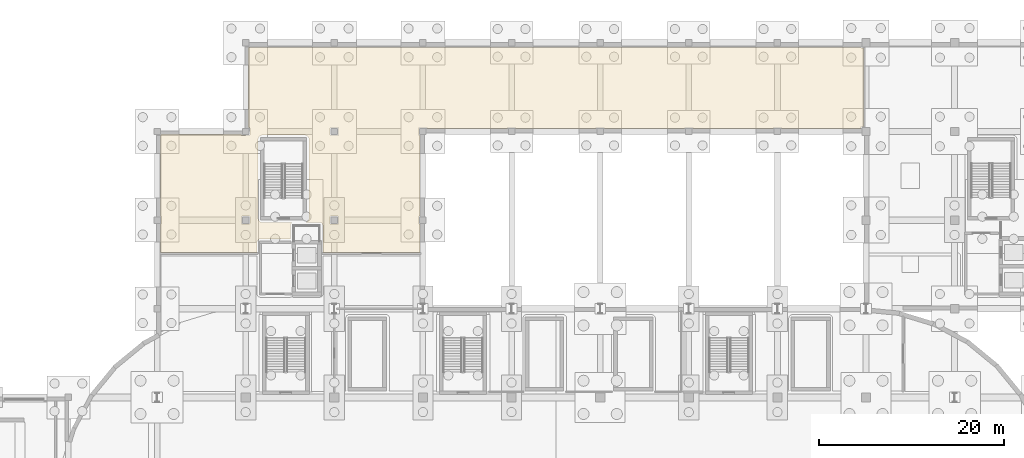
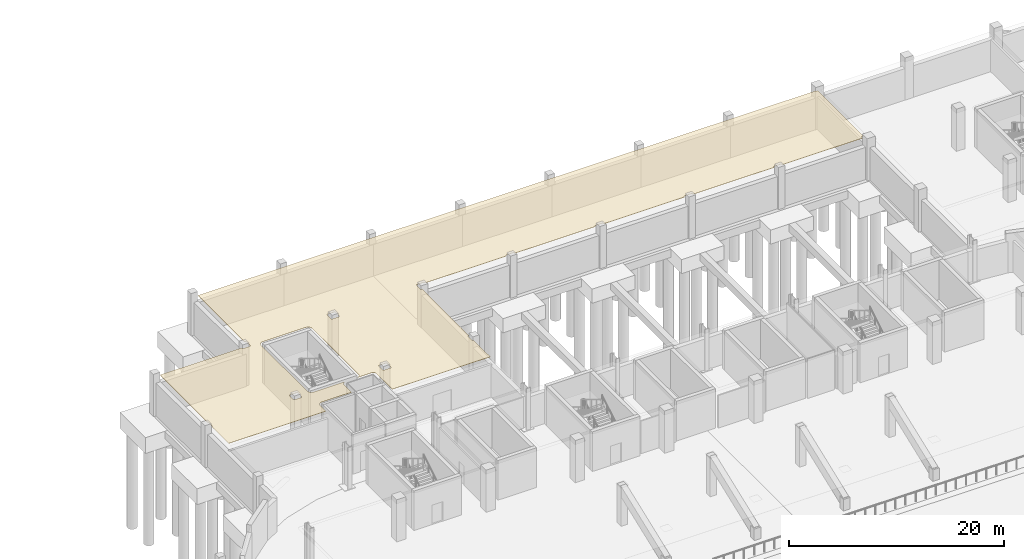
# One storey, part 64 of 67: 1 covering.
"""IFC4 building model written with IfcOpenShell, lengths in metres."""

from ifc_helpers import new_model, si_unit, direction, frame, origin, place, context, subcontext, project, spatial, polyline, outline, extrude, material, layer, layer_set, type_object, element, save


model = new_model("IFC4")

# Units and contexts
model_context = context("Model", 3, precision=1e-05, world=origin(), true_north=direction((0.0, 1.0)))
body_context = subcontext(model_context, "Body", "Model", "MODEL_VIEW")
ifc_project = project(units=[si_unit("LENGTHUNIT", "METRE"), si_unit("AREAUNIT", "SQUARE_METRE"), si_unit("VOLUMEUNIT", "CUBIC_METRE"), si_unit("PLANEANGLEUNIT", "RADIAN"), si_unit("MASSUNIT", "GRAM", prefix="KILO")], contexts=[model_context])

# Site, building, storey
site_placement = place(None, origin())
site = spatial("IfcSite", under=ifc_project, at=site_placement, CompositionType="ELEMENT")
building_placement = place(site_placement, origin())
building = spatial("IfcBuilding", under=site, at=building_placement, Name="Caelomonte Colonnade Arena", CompositionType="ELEMENT")
storey_placement = place(building_placement, frame((0.0, 0.0, -4.800048828125)))
storey = spatial("IfcBuildingStorey", under=building, at=storey_placement, Name="B1", CompositionType="ELEMENT", Elevation=-4.800048828125)

# Covering
ifc_material = material(Name="Perforated acoustic mineral-fibre ceiling")
ifc_layer = layer(ifc_material, 0.0400390625)
ifc_layer_set = layer_set([ifc_layer], Name="Perforated acoustic mineral-fibre ceiling")
covering_type = type_object("IfcCoveringType", Name="INT-CV-CEIL1", PredefinedType="CEILING", material=ifc_layer_set)
covering_placement = place(storey_placement, frame((0.0, 0.0, 4.420166015625)))
element("IfcCovering", 1, at=covering_placement, inside=storey, type_object=covering_type, Name="B1 Central Commissary Kitchen acoustic ceiling", PredefinedType="CEILING", context=body_context, shape_type="SweptSolid", body=[
    extrude(outline(polyline([(67.58056640625, 124.3564453125), (67.580078125, 124.3564453125), (67.580078125, 121.280029296875), (78.0400390625, 121.280029296875), (78.0400390625, 122.39990234375), (78.0400390625, 122.40380859375), (78.04150390625, 122.431396484375), (78.042236328125, 122.439208984375), (78.046142578125, 122.46630859375), (78.0478515625, 122.47412109375), (78.054443359375, 122.500732421875), (78.056640625, 122.50830078125), (78.06591796875, 122.5341796875), (78.069091796875, 122.54150390625), (78.080810546875, 122.566162109375), (78.08447265625, 122.572998046875), (78.0986328125, 122.5966796875), (78.102783203125, 122.603271484375), (78.119384765625, 122.625244140625), (78.124267578125, 122.63134765625), (78.142578125, 122.651611328125), (78.148193359375, 122.6572265625), (78.168701171875, 122.67578125), (78.1748046875, 122.6806640625), (78.19677734375, 122.697021484375), (78.203369140625, 122.701416015625), (78.226806640625, 122.715576171875), (78.23388671875, 122.71923828125), (78.258544921875, 122.73095703125), (78.265869140625, 122.73388671875), (78.291748046875, 122.743408203125), (78.29931640625, 122.74560546875), (78.325927734375, 122.752197265625), (78.33349609375, 122.75390625), (78.36083984375, 122.7578125), (78.36865234375, 122.758544921875), (78.39599609375, 122.760009765625), (78.39990234375, 122.760009765625), (81.60009765625, 122.760009765625), (81.60400390625, 122.760009765625), (81.63134765625, 122.758544921875), (81.63916015625, 122.7578125), (81.639892578125, 122.7578125), (81.639892578125, 124.199951171875), (81.64013671875, 124.203857421875), (81.641357421875, 124.2314453125), (81.64208984375, 124.2392578125), (81.646240234375, 124.266357421875), (81.647705078125, 124.274169921875), (81.654541015625, 124.30078125), (81.65673828125, 124.30810546875), (81.666015625, 124.333984375), (81.6689453125, 124.34130859375), (81.6806640625, 124.3662109375), (81.684326171875, 124.373046875), (81.698486328125, 124.396728515625), (81.702880859375, 124.4033203125), (81.71923828125, 124.42529296875), (81.724365234375, 124.431396484375), (81.74267578125, 124.45166015625), (81.748291015625, 124.457275390625), (81.7685546875, 124.4755859375), (81.774658203125, 124.480712890625), (81.796875, 124.4970703125), (81.80322265625, 124.50146484375), (81.826904296875, 124.515625), (81.833740234375, 124.519287109375), (81.858642578125, 124.531005859375), (81.865966796875, 124.533935546875), (81.891845703125, 124.543212890625), (81.8994140625, 124.54541015625), (81.9169921875, 124.550048828125), (78.60009765625, 124.550048828125), (78.555908203125, 124.55224609375), (78.51220703125, 124.55859375), (78.469482421875, 124.5693359375), (78.427734375, 124.584228515625), (78.387939453125, 124.60302734375), (78.35009765625, 124.625732421875), (78.314453125, 124.652099609375), (78.28173828125, 124.681884765625), (78.252197265625, 124.714599609375), (78.225830078125, 124.75), (78.203125, 124.787841796875), (78.184326171875, 124.827880859375), (78.16943359375, 124.869384765625), (78.15869140625, 124.912109375), (78.152099609375, 124.955810546875), (78.14990234375, 125.0), (78.14990234375, 133.550048828125), (78.152099609375, 133.593994140625), (78.15869140625, 133.6376953125), (78.16943359375, 133.6806640625), (78.184326171875, 133.72216796875), (78.203125, 133.76220703125), (78.225830078125, 133.800048828125), (78.252197265625, 133.83544921875), (78.28173828125, 133.8681640625), (78.314453125, 133.89794921875), (78.35009765625, 133.92431640625), (78.387939453125, 133.947021484375), (78.427734375, 133.9658203125), (78.469482421875, 133.980712890625), (78.51220703125, 133.991455078125), (78.555908203125, 133.997802734375), (78.60009765625, 134.0), (83.199951171875, 134.0), (83.244140625, 133.997802734375), (83.287841796875, 133.991455078125), (83.33056640625, 133.980712890625), (83.372314453125, 133.9658203125), (83.412109375, 133.947021484375), (83.449951171875, 133.92431640625), (83.485595703125, 133.89794921875), (83.518310546875, 133.8681640625), (83.5478515625, 133.83544921875), (83.57421875, 133.800048828125), (83.596923828125, 133.76220703125), (83.61572265625, 133.72216796875), (83.630615234375, 133.6806640625), (83.641357421875, 133.6376953125), (83.647705078125, 133.593994140625), (83.64990234375, 133.550048828125), (83.64990234375, 125.0), (83.647705078125, 124.955810546875), (83.641357421875, 124.912109375), (83.630615234375, 124.869384765625), (83.61572265625, 124.827880859375), (83.596923828125, 124.787841796875), (83.57421875, 124.75), (83.5478515625, 124.714599609375), (83.518310546875, 124.681884765625), (83.485595703125, 124.652099609375), (83.449951171875, 124.625732421875), (83.412109375, 124.60302734375), (83.372314453125, 124.584228515625), (83.33056640625, 124.5693359375), (83.293212890625, 124.56005859375), (84.800048828125, 124.56005859375), (84.803955078125, 124.559814453125), (84.831298828125, 124.55859375), (84.839111328125, 124.557861328125), (84.866455078125, 124.5537109375), (84.8740234375, 124.55224609375), (84.900634765625, 124.54541015625), (84.908203125, 124.543212890625), (84.93408203125, 124.533935546875), (84.94140625, 124.531005859375), (84.96630859375, 124.519287109375), (84.97314453125, 124.515625), (84.99658203125, 124.50146484375), (85.003173828125, 124.4970703125), (85.025390625, 124.480712890625), (85.031494140625, 124.4755859375), (85.0517578125, 124.457275390625), (85.057373046875, 124.45166015625), (85.07568359375, 124.431396484375), (85.080810546875, 124.42529296875), (85.09716796875, 124.4033203125), (85.101318359375, 124.396728515625), (85.115478515625, 124.373046875), (85.119384765625, 124.3662109375), (85.131103515625, 124.34130859375), (85.134033203125, 124.333984375), (85.143310546875, 124.30810546875), (85.1455078125, 124.30078125), (85.152099609375, 124.274169921875), (85.15380859375, 124.266357421875), (85.15771484375, 124.2392578125), (85.15869140625, 124.2314453125), (85.159912109375, 124.203857421875), (85.159912109375, 124.199951171875), (85.159912109375, 121.280029296875), (95.699951171875, 121.280029296875), (95.699951171875, 124.35498046875), (95.635009765625, 124.35498046875), (95.627197265625, 124.35546875), (95.619384765625, 124.3564453125), (95.61181640625, 124.3583984375), (95.6044921875, 124.361083984375), (95.597412109375, 124.364501953125), (95.590576171875, 124.368408203125), (95.584228515625, 124.373291015625), (95.578369140625, 124.37841796875), (95.5732421875, 124.38427734375), (95.568603515625, 124.390625), (95.564453125, 124.397216796875), (95.56103515625, 124.404296875), (95.558349609375, 124.411865234375), (95.556396484375, 124.41943359375), (95.555419921875, 124.42724609375), (95.554931640625, 124.43505859375), (95.554931640625, 125.1650390625), (95.555419921875, 125.1728515625), (95.556396484375, 125.1806640625), (95.558349609375, 125.188232421875), (95.56103515625, 125.195556640625), (95.564453125, 125.20263671875), (95.568603515625, 125.20947265625), (95.5732421875, 125.2158203125), (95.578369140625, 125.2216796875), (95.584228515625, 125.226806640625), (95.590576171875, 125.2314453125), (95.597412109375, 125.235595703125), (95.6044921875, 125.239013671875), (95.61181640625, 125.24169921875), (95.619384765625, 125.243408203125), (95.627197265625, 125.24462890625), (95.635009765625, 125.2451171875), (95.699951171875, 125.2451171875), (95.699951171875, 133.955078125), (95.635009765625, 133.955078125), (95.627197265625, 133.955322265625), (95.619384765625, 133.95654296875), (95.61181640625, 133.95849609375), (95.6044921875, 133.961181640625), (95.597412109375, 133.96435546875), (95.590576171875, 133.968505859375), (95.584228515625, 133.97314453125), (95.578369140625, 133.978515625), (95.5732421875, 133.984130859375), (95.568603515625, 133.990478515625), (95.564453125, 133.997314453125), (95.56103515625, 134.00439453125), (95.558349609375, 134.01171875), (95.556396484375, 134.019287109375), (95.555419921875, 134.027099609375), (95.554931640625, 134.034912109375), (95.554931640625, 134.764892578125), (95.555419921875, 134.772705078125), (95.556396484375, 134.780517578125), (95.558349609375, 134.7880859375), (95.56103515625, 134.795654296875), (95.564453125, 134.802734375), (95.568603515625, 134.809326171875), (95.5732421875, 134.81591796875), (95.578369140625, 134.821533203125), (95.584228515625, 134.826904296875), (95.590576171875, 134.83154296875), (95.597412109375, 134.835693359375), (95.6044921875, 134.8388671875), (95.61181640625, 134.841552734375), (95.619384765625, 134.843505859375), (95.627197265625, 134.844482421875), (95.635009765625, 134.844970703125), (96.364990234375, 134.844970703125), (96.372802734375, 134.844482421875), (96.380615234375, 134.843505859375), (96.38818359375, 134.841552734375), (96.3955078125, 134.8388671875), (96.402587890625, 134.835693359375), (96.409423828125, 134.83154296875), (96.415771484375, 134.826904296875), (96.421630859375, 134.821533203125), (96.4267578125, 134.81591796875), (96.431396484375, 134.809326171875), (96.435546875, 134.802734375), (96.43896484375, 134.795654296875), (96.441650390625, 134.7880859375), (96.443603515625, 134.780517578125), (96.444580078125, 134.772705078125), (96.445068359375, 134.764892578125), (96.445068359375, 134.699951171875), (105.155029296875, 134.699951171875), (105.155029296875, 134.764892578125), (105.155517578125, 134.772705078125), (105.156494140625, 134.780517578125), (105.158447265625, 134.7880859375), (105.1611328125, 134.795654296875), (105.164306640625, 134.802734375), (105.16845703125, 134.809326171875), (105.173095703125, 134.81591796875), (105.178466796875, 134.821533203125), (105.18408203125, 134.826904296875), (105.190673828125, 134.83154296875), (105.197265625, 134.835693359375), (105.204345703125, 134.8388671875), (105.2119140625, 134.841552734375), (105.219482421875, 134.843505859375), (105.227294921875, 134.844482421875), (105.235107421875, 134.844970703125), (105.965087890625, 134.844970703125), (105.972900390625, 134.844482421875), (105.980712890625, 134.843505859375), (105.98828125, 134.841552734375), (105.99560546875, 134.8388671875), (106.002685546875, 134.835693359375), (106.009521484375, 134.83154296875), (106.015869140625, 134.826904296875), (106.021484375, 134.821533203125), (106.02685546875, 134.81591796875), (106.031494140625, 134.809326171875), (106.03564453125, 134.802734375), (106.038818359375, 134.795654296875), (106.04150390625, 134.7880859375), (106.04345703125, 134.780517578125), (106.044677734375, 134.772705078125), (106.044921875, 134.764892578125), (106.044921875, 134.699951171875), (114.7548828125, 134.699951171875), (114.7548828125, 134.764892578125), (114.75537109375, 134.772705078125), (114.756591796875, 134.780517578125), (114.75830078125, 134.7880859375), (114.760986328125, 134.795654296875), (114.764404296875, 134.802734375), (114.7685546875, 134.809326171875), (114.773193359375, 134.81591796875), (114.7783203125, 134.821533203125), (114.7841796875, 134.826904296875), (114.79052734375, 134.83154296875), (114.79736328125, 134.835693359375), (114.804443359375, 134.8388671875), (114.811767578125, 134.841552734375), (114.8193359375, 134.843505859375), (114.8271484375, 134.844482421875), (114.8349609375, 134.844970703125), (115.56494140625, 134.844970703125), (115.57275390625, 134.844482421875), (115.58056640625, 134.843505859375), (115.588134765625, 134.841552734375), (115.595703125, 134.8388671875), (115.602783203125, 134.835693359375), (115.609375, 134.83154296875), (115.61572265625, 134.826904296875), (115.62158203125, 134.821533203125), (115.626708984375, 134.81591796875), (115.631591796875, 134.809326171875), (115.635498046875, 134.802734375), (115.638916015625, 134.795654296875), (115.6416015625, 134.7880859375), (115.6435546875, 134.780517578125), (115.64453125, 134.772705078125), (115.64501953125, 134.764892578125), (115.64501953125, 134.699951171875), (124.35498046875, 134.699951171875), (124.35498046875, 134.764892578125), (124.35546875, 134.772705078125), (124.3564453125, 134.780517578125), (124.3583984375, 134.7880859375), (124.361083984375, 134.795654296875), (124.364501953125, 134.802734375), (124.368408203125, 134.809326171875), (124.373291015625, 134.81591796875), (124.37841796875, 134.821533203125), (124.38427734375, 134.826904296875), (124.390625, 134.83154296875), (124.397216796875, 134.835693359375), (124.404296875, 134.8388671875), (124.411865234375, 134.841552734375), (124.41943359375, 134.843505859375), (124.42724609375, 134.844482421875), (124.43505859375, 134.844970703125), (125.1650390625, 134.844970703125), (125.1728515625, 134.844482421875), (125.1806640625, 134.843505859375), (125.188232421875, 134.841552734375), (125.195556640625, 134.8388671875), (125.20263671875, 134.835693359375), (125.20947265625, 134.83154296875), (125.2158203125, 134.826904296875), (125.2216796875, 134.821533203125), (125.226806640625, 134.81591796875), (125.2314453125, 134.809326171875), (125.235595703125, 134.802734375), (125.239013671875, 134.795654296875), (125.24169921875, 134.7880859375), (125.243408203125, 134.780517578125), (125.24462890625, 134.772705078125), (125.2451171875, 134.764892578125), (125.2451171875, 134.699951171875), (133.955078125, 134.699951171875), (133.955078125, 134.764892578125), (133.955322265625, 134.772705078125), (133.95654296875, 134.780517578125), (133.95849609375, 134.7880859375), (133.961181640625, 134.795654296875), (133.96435546875, 134.802734375), (133.968505859375, 134.809326171875), (133.97314453125, 134.81591796875), (133.978515625, 134.821533203125), (133.984130859375, 134.826904296875), (133.990478515625, 134.83154296875), (133.997314453125, 134.835693359375), (134.00439453125, 134.8388671875), (134.01171875, 134.841552734375), (134.019287109375, 134.843505859375), (134.027099609375, 134.844482421875), (134.034912109375, 134.844970703125), (134.764892578125, 134.844970703125), (134.772705078125, 134.844482421875), (134.780517578125, 134.843505859375), (134.7880859375, 134.841552734375), (134.795654296875, 134.8388671875), (134.802734375, 134.835693359375), (134.809326171875, 134.83154296875), (134.81591796875, 134.826904296875), (134.821533203125, 134.821533203125), (134.826904296875, 134.81591796875), (134.83154296875, 134.809326171875), (134.835693359375, 134.802734375), (134.8388671875, 134.795654296875), (134.841552734375, 134.7880859375), (134.843505859375, 134.780517578125), (134.844482421875, 134.772705078125), (134.844970703125, 134.764892578125), (134.844970703125, 134.699951171875), (143.455078125, 134.699951171875), (143.455078125, 134.864990234375), (143.455322265625, 134.872802734375), (143.45654296875, 134.880615234375), (143.45849609375, 134.88818359375), (143.461181640625, 134.8955078125), (143.46435546875, 134.902587890625), (143.468505859375, 134.909423828125), (143.47314453125, 134.915771484375), (143.478515625, 134.921630859375), (143.484130859375, 134.9267578125), (143.490478515625, 134.931396484375), (143.497314453125, 134.935546875), (143.50439453125, 134.93896484375), (143.51171875, 134.941650390625), (143.519287109375, 134.943603515625), (143.527099609375, 134.944580078125), (143.534912109375, 134.945068359375), (143.719970703125, 134.945068359375), (143.719970703125, 143.455078125), (143.534912109375, 143.455078125), (143.527099609375, 143.455322265625), (143.519287109375, 143.45654296875), (143.51171875, 143.45849609375), (143.50439453125, 143.461181640625), (143.497314453125, 143.46435546875), (143.490478515625, 143.468505859375), (143.484130859375, 143.47314453125), (143.478515625, 143.478515625), (143.47314453125, 143.484130859375), (143.468505859375, 143.490478515625), (143.46435546875, 143.497314453125), (143.461181640625, 143.50439453125), (143.45849609375, 143.51171875), (143.45654296875, 143.519287109375), (143.456298828125, 143.52001953125), (77.10009765625, 143.52001953125), (77.10009765625, 134.844970703125), (77.1650390625, 134.844970703125), (77.1728515625, 134.844482421875), (77.1806640625, 134.843505859375), (77.188232421875, 134.841552734375), (77.195556640625, 134.8388671875), (77.20263671875, 134.835693359375), (77.20947265625, 134.83154296875), (77.2158203125, 134.826904296875), (77.2216796875, 134.821533203125), (77.226806640625, 134.81591796875), (77.2314453125, 134.809326171875), (77.235595703125, 134.802734375), (77.239013671875, 134.795654296875), (77.24169921875, 134.7880859375), (77.243408203125, 134.780517578125), (77.24462890625, 134.772705078125), (77.2451171875, 134.764892578125), (77.2451171875, 134.034912109375), (77.24462890625, 134.027099609375), (77.243408203125, 134.019287109375), (77.24169921875, 134.01171875), (77.239013671875, 134.00439453125), (77.235595703125, 133.997314453125), (77.2314453125, 133.990478515625), (77.226806640625, 133.984130859375), (77.2216796875, 133.978515625), (77.2158203125, 133.97314453125), (77.20947265625, 133.968505859375), (77.20263671875, 133.96435546875), (77.195556640625, 133.961181640625), (77.188232421875, 133.95849609375), (77.1806640625, 133.95654296875), (77.1728515625, 133.955322265625), (77.1650390625, 133.955078125), (76.43505859375, 133.955078125), (76.42724609375, 133.955322265625), (76.41943359375, 133.95654296875), (76.411865234375, 133.95849609375), (76.404296875, 133.961181640625), (76.397216796875, 133.96435546875), (76.390625, 133.968505859375), (76.38427734375, 133.97314453125), (76.37841796875, 133.978515625), (76.373291015625, 133.984130859375), (76.368408203125, 133.990478515625), (76.364501953125, 133.997314453125), (76.361083984375, 134.00439453125), (76.3583984375, 134.01171875), (76.3564453125, 134.019287109375), (76.35546875, 134.027099609375), (76.35498046875, 134.034912109375), (76.35498046875, 134.10009765625), (67.64501953125, 134.10009765625), (67.64501953125, 134.034912109375), (67.64453125, 134.027099609375), (67.6435546875, 134.019287109375), (67.6416015625, 134.01171875), (67.638916015625, 134.00439453125), (67.635498046875, 133.997314453125), (67.631591796875, 133.990478515625), (67.626708984375, 133.984130859375), (67.62158203125, 133.978515625), (67.61572265625, 133.97314453125), (67.609375, 133.968505859375), (67.602783203125, 133.96435546875), (67.595703125, 133.961181640625), (67.588134765625, 133.95849609375), (67.58056640625, 133.95654296875), (67.580078125, 133.956298828125), (67.580078125, 125.24365234375), (67.58056640625, 125.243408203125), (67.588134765625, 125.24169921875), (67.595703125, 125.239013671875), (67.602783203125, 125.235595703125), (67.609375, 125.2314453125), (67.61572265625, 125.226806640625), (67.62158203125, 125.2216796875), (67.626708984375, 125.2158203125), (67.631591796875, 125.20947265625), (67.635498046875, 125.20263671875), (67.638916015625, 125.195556640625), (67.6416015625, 125.188232421875), (67.6435546875, 125.1806640625), (67.64453125, 125.1728515625), (67.64501953125, 125.1650390625), (67.64501953125, 124.43505859375), (67.64453125, 124.42724609375), (67.6435546875, 124.41943359375), (67.6416015625, 124.411865234375), (67.638916015625, 124.404296875), (67.635498046875, 124.397216796875), (67.631591796875, 124.390625), (67.626708984375, 124.38427734375), (67.62158203125, 124.37841796875), (67.61572265625, 124.373291015625), (67.609375, 124.368408203125), (67.602783203125, 124.364501953125), (67.595703125, 124.361083984375), (67.588134765625, 124.3583984375), (67.58056640625, 124.3564453125)]), holes=[polyline([(85.955322265625, 124.42724609375), (85.955078125, 124.43505859375), (85.955078125, 125.1650390625), (85.955322265625, 125.1728515625), (85.95654296875, 125.1806640625), (85.95849609375, 125.188232421875), (85.961181640625, 125.195556640625), (85.96435546875, 125.20263671875), (85.968505859375, 125.20947265625), (85.97314453125, 125.2158203125), (85.978515625, 125.2216796875), (85.984130859375, 125.226806640625), (85.990478515625, 125.2314453125), (85.997314453125, 125.235595703125), (86.00439453125, 125.239013671875), (86.01171875, 125.24169921875), (86.019287109375, 125.243408203125), (86.027099609375, 125.24462890625), (86.034912109375, 125.2451171875), (86.764892578125, 125.2451171875), (86.772705078125, 125.24462890625), (86.780517578125, 125.243408203125), (86.7880859375, 125.24169921875), (86.795654296875, 125.239013671875), (86.802734375, 125.235595703125), (86.809326171875, 125.2314453125), (86.81591796875, 125.226806640625), (86.821533203125, 125.2216796875), (86.826904296875, 125.2158203125), (86.83154296875, 125.20947265625), (86.835693359375, 125.20263671875), (86.8388671875, 125.195556640625), (86.841552734375, 125.188232421875), (86.843505859375, 125.1806640625), (86.844482421875, 125.1728515625), (86.844970703125, 125.1650390625), (86.844970703125, 124.43505859375), (86.844482421875, 124.42724609375), (86.843505859375, 124.41943359375), (86.841552734375, 124.411865234375), (86.8388671875, 124.404296875), (86.835693359375, 124.397216796875), (86.83154296875, 124.390625), (86.826904296875, 124.38427734375), (86.821533203125, 124.37841796875), (86.81591796875, 124.373291015625), (86.809326171875, 124.368408203125), (86.802734375, 124.364501953125), (86.795654296875, 124.361083984375), (86.7880859375, 124.3583984375), (86.780517578125, 124.3564453125), (86.772705078125, 124.35546875), (86.764892578125, 124.35498046875), (86.034912109375, 124.35498046875), (86.027099609375, 124.35546875), (86.019287109375, 124.3564453125), (86.01171875, 124.3583984375), (86.00439453125, 124.361083984375), (85.997314453125, 124.364501953125), (85.990478515625, 124.368408203125), (85.984130859375, 124.373291015625), (85.978515625, 124.37841796875), (85.97314453125, 124.38427734375), (85.968505859375, 124.390625), (85.96435546875, 124.397216796875), (85.961181640625, 124.404296875), (85.95849609375, 124.411865234375), (85.95654296875, 124.41943359375), (85.955322265625, 124.42724609375)]), polyline([(86.027099609375, 134.844482421875), (86.034912109375, 134.844970703125), (86.764892578125, 134.844970703125), (86.772705078125, 134.844482421875), (86.780517578125, 134.843505859375), (86.7880859375, 134.841552734375), (86.795654296875, 134.8388671875), (86.802734375, 134.835693359375), (86.809326171875, 134.83154296875), (86.81591796875, 134.826904296875), (86.821533203125, 134.821533203125), (86.826904296875, 134.81591796875), (86.83154296875, 134.809326171875), (86.835693359375, 134.802734375), (86.8388671875, 134.795654296875), (86.841552734375, 134.7880859375), (86.843505859375, 134.780517578125), (86.844482421875, 134.772705078125), (86.844970703125, 134.764892578125), (86.844970703125, 134.034912109375), (86.844482421875, 134.027099609375), (86.843505859375, 134.019287109375), (86.841552734375, 134.01171875), (86.8388671875, 134.00439453125), (86.835693359375, 133.997314453125), (86.83154296875, 133.990478515625), (86.826904296875, 133.984130859375), (86.821533203125, 133.978515625), (86.81591796875, 133.97314453125), (86.809326171875, 133.968505859375), (86.802734375, 133.96435546875), (86.795654296875, 133.961181640625), (86.7880859375, 133.95849609375), (86.780517578125, 133.95654296875), (86.772705078125, 133.955322265625), (86.764892578125, 133.955078125), (86.034912109375, 133.955078125), (86.027099609375, 133.955322265625), (86.019287109375, 133.95654296875), (86.01171875, 133.95849609375), (86.00439453125, 133.961181640625), (85.997314453125, 133.96435546875), (85.990478515625, 133.968505859375), (85.984130859375, 133.97314453125), (85.978515625, 133.978515625), (85.97314453125, 133.984130859375), (85.968505859375, 133.990478515625), (85.96435546875, 133.997314453125), (85.961181640625, 134.00439453125), (85.95849609375, 134.01171875), (85.95654296875, 134.019287109375), (85.955322265625, 134.027099609375), (85.955078125, 134.034912109375), (85.955078125, 134.764892578125), (85.955322265625, 134.772705078125), (85.95654296875, 134.780517578125), (85.95849609375, 134.7880859375), (85.961181640625, 134.795654296875), (85.96435546875, 134.802734375), (85.968505859375, 134.809326171875), (85.97314453125, 134.81591796875), (85.978515625, 134.821533203125), (85.984130859375, 134.826904296875), (85.990478515625, 134.83154296875), (85.997314453125, 134.835693359375), (86.00439453125, 134.8388671875), (86.01171875, 134.841552734375), (86.019287109375, 134.843505859375), (86.027099609375, 134.844482421875)]), polyline([(76.35546875, 124.42724609375), (76.35498046875, 124.43505859375), (76.35498046875, 125.1650390625), (76.35546875, 125.1728515625), (76.3564453125, 125.1806640625), (76.3583984375, 125.188232421875), (76.361083984375, 125.195556640625), (76.364501953125, 125.20263671875), (76.368408203125, 125.20947265625), (76.373291015625, 125.2158203125), (76.37841796875, 125.2216796875), (76.38427734375, 125.226806640625), (76.390625, 125.2314453125), (76.397216796875, 125.235595703125), (76.404296875, 125.239013671875), (76.411865234375, 125.24169921875), (76.41943359375, 125.243408203125), (76.42724609375, 125.24462890625), (76.43505859375, 125.2451171875), (77.1650390625, 125.2451171875), (77.1728515625, 125.24462890625), (77.1806640625, 125.243408203125), (77.188232421875, 125.24169921875), (77.195556640625, 125.239013671875), (77.20263671875, 125.235595703125), (77.20947265625, 125.2314453125), (77.2158203125, 125.226806640625), (77.2216796875, 125.2216796875), (77.226806640625, 125.2158203125), (77.2314453125, 125.20947265625), (77.235595703125, 125.20263671875), (77.239013671875, 125.195556640625), (77.24169921875, 125.188232421875), (77.243408203125, 125.1806640625), (77.24462890625, 125.1728515625), (77.2451171875, 125.1650390625), (77.2451171875, 124.43505859375), (77.24462890625, 124.42724609375), (77.243408203125, 124.41943359375), (77.24169921875, 124.411865234375), (77.239013671875, 124.404296875), (77.235595703125, 124.397216796875), (77.2314453125, 124.390625), (77.226806640625, 124.38427734375), (77.2216796875, 124.37841796875), (77.2158203125, 124.373291015625), (77.20947265625, 124.368408203125), (77.20263671875, 124.364501953125), (77.195556640625, 124.361083984375), (77.188232421875, 124.3583984375), (77.1806640625, 124.3564453125), (77.1728515625, 124.35546875), (77.1650390625, 124.35498046875), (76.43505859375, 124.35498046875), (76.42724609375, 124.35546875), (76.41943359375, 124.3564453125), (76.411865234375, 124.3583984375), (76.404296875, 124.361083984375), (76.397216796875, 124.364501953125), (76.390625, 124.368408203125), (76.38427734375, 124.373291015625), (76.37841796875, 124.37841796875), (76.373291015625, 124.38427734375), (76.368408203125, 124.390625), (76.364501953125, 124.397216796875), (76.361083984375, 124.404296875), (76.3583984375, 124.411865234375), (76.3564453125, 124.41943359375), (76.35546875, 124.42724609375)])]), origin(), (0.0, 0.0, 1.0), 0.039794921875),
])

save(model, "model.ifc")
